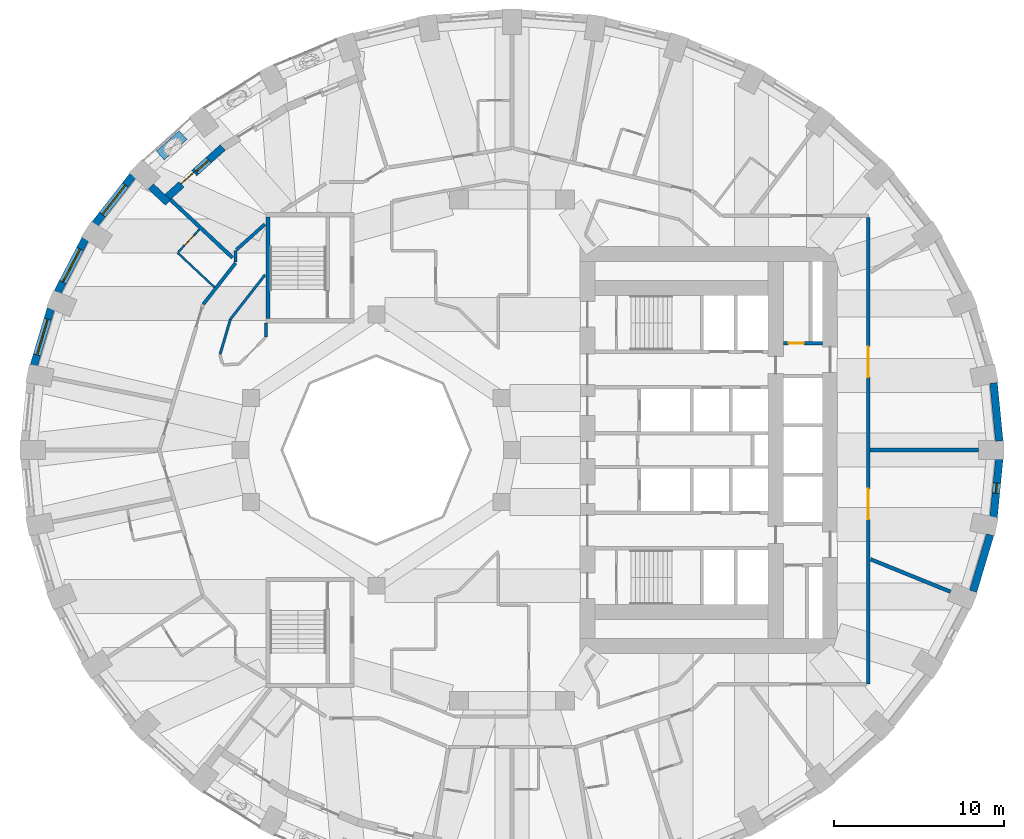
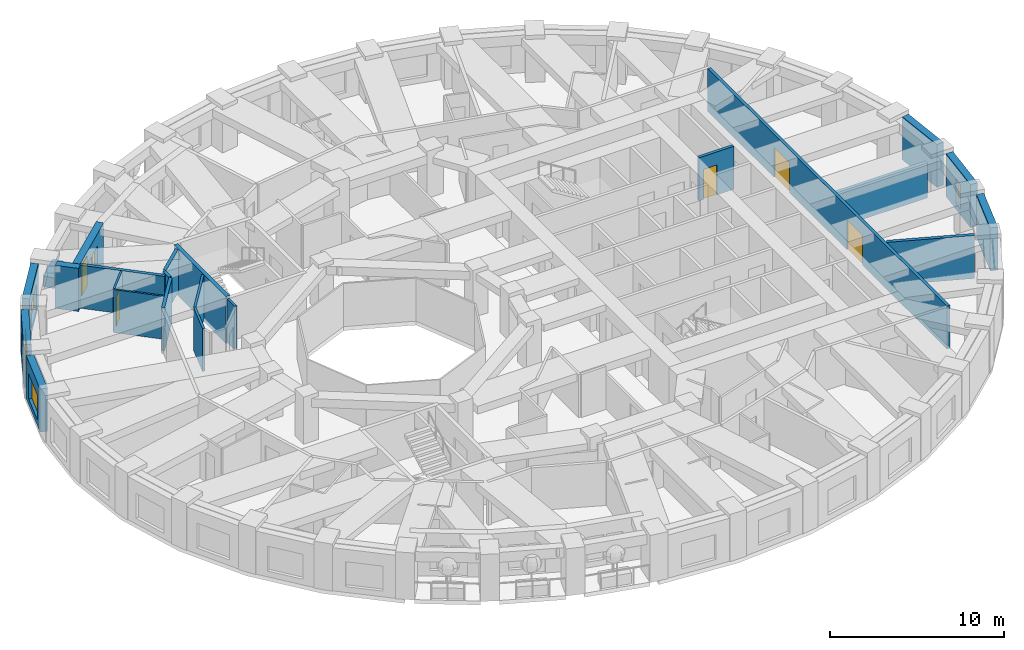
# One storey, part 7 of 13: 23 walls, 5 doors, 5 windows, 10 openings.
"""IFC4 building model written with IfcOpenShell, lengths in metres."""

from ifc_helpers import new_model, si_unit, direction, frame, frame_2d, origin, place, context, subcontext, project, spatial, rectangle, extrude, material, layer, layer_set, constituent, constituent_set, type_object, element, fill, save


model = new_model("IFC4")

# Units and contexts
model_context = context("Model", 3, precision=1e-05, world=origin(), true_north=direction((0.0, 1.0)))
body_context = subcontext(model_context, "Body", "Model", "MODEL_VIEW")
ifc_project = project(units=[si_unit("LENGTHUNIT", "METRE"), si_unit("AREAUNIT", "SQUARE_METRE"), si_unit("VOLUMEUNIT", "CUBIC_METRE"), si_unit("PLANEANGLEUNIT", "RADIAN"), si_unit("MASSUNIT", "GRAM", prefix="KILO")], contexts=[model_context])

# Site, building, storey
site_placement = place(None, origin())
site = spatial("IfcSite", under=ifc_project, at=site_placement, CompositionType="ELEMENT")
building_placement = place(site_placement, origin())
building = spatial("IfcBuilding", under=site, at=building_placement, Name="Taillehof Tower", CompositionType="ELEMENT")
storey_placement = place(building_placement, frame((0.0, 0.0, 44.800048828125)))
storey = spatial("IfcBuildingStorey", under=building, at=storey_placement, Name="L11", CompositionType="ELEMENT", Elevation=44.800048828125)

# Wall
ifc_material_1 = material(Name="Brick masonry", Category="masonry")
ifc_layer_1 = layer(ifc_material_1, 0.449951171875)
ifc_layer_set_1 = layer_set([ifc_layer_1], Name="Brick infill wall 450")
wall_type_1 = type_object("IfcWallType", Name="Brick infill wall 450", PredefinedType="SOLIDWALL", material=ifc_layer_set_1)
wall_1_placement = place(storey_placement, frame((28.721923828125, 0.530029296875, 0.0), z_axis=(0.0, 0.0, 1.0), x_axis=(-0.097389581596, 0.995246336038, 0.0)))
element("IfcWall", 1, at=wall_1_placement, inside=storey, type_object=wall_type_1, Name="Brick wall L11 bay 1", PredefinedType="SOLIDWALL", context=body_context, shape_type="SweptSolid", body=[
    extrude(rectangle(XDim=3.44189453125, YDim=0.449951171875, at=frame_2d((1.720947265625, 0.0))), origin(), (0.0, 0.0, 1.0), 3.02001953125),
])

# Wall, opening, window
wall_2_placement = place(storey_placement, frame((-22.3515625, 16.169677734375, 0.0), z_axis=(0.0, 0.0, 1.0), x_axis=(-0.616661975264, -0.787228053529, 0.0)))
wall_2 = element("IfcWall", 2, at=wall_2_placement, inside=storey, type_object=wall_type_1, Name="Brick wall L11 bay 15", PredefinedType="SOLIDWALL", context=body_context, shape_type="SweptSolid", body=[
    extrude(rectangle(XDim=3.60986328125, YDim=0.449951171875, at=frame_2d((1.804931640625, 0.0))), origin(), (0.0, 0.0, 1.0), 3.02001953125),
])
opening_1_placement = place(wall_2_placement, frame((0.704833984375, 0.0, 0.39990234375)))
opening_1 = element("IfcOpeningElement", 3, at=opening_1_placement, cuts=wall_2, Name="Opening W1", PredefinedType="OPENING", context=body_context, shape_type="SweptSolid", body=[
    extrude(rectangle(XDim=2.199951171875, YDim=1.75, at=frame_2d((1.10009765625, 0.875))), frame((0.0, 0.23486328125, 0.0), z_axis=(0.0, -1.0, 0.0), x_axis=(1.0, 0.0, 0.0)), (0.0, 0.0, 1.0), 0.469970703125),
])
ifc_material_2 = material(Name="Aluminium window frame with clear double glazing", Category="aluminium")
window_type_1 = type_object("IfcWindowType", Name="Deep-set window 2200x1750", PartitioningType="SINGLE_PANEL", PredefinedType="WINDOW", material=ifc_material_2)
window_1_placement = place(opening_1_placement, origin())
window_1 = element("IfcWindow", 4, at=window_1_placement, inside=storey, type_object=window_type_1, Name="W1", OverallHeight=1.75, OverallWidth=2.199951171875, PartitioningType="SINGLE_PANEL", PredefinedType="WINDOW", context=body_context, shape_type="SweptSolid", body=[
    extrude(rectangle(XDim=2.199951171875, YDim=1.75, at=frame_2d((1.10009765625, 0.875))), frame((0.0, 0.034912109375, 0.0), z_axis=(0.0, -1.0, 0.0), x_axis=(1.0, 0.0, 0.0)), (0.0, 0.0, 1.0), 0.06005859375),
])
fill(opening_1, window_1)

wall_3_placement = place(storey_placement, frame((-25.152099609375, 12.436767578125, 0.0), z_axis=(0.0, 0.0, 1.0), x_axis=(-0.462492775226, -0.886623050041, 0.0)))
wall_3 = element("IfcWall", 5, at=wall_3_placement, inside=storey, type_object=wall_type_1, Name="Brick wall L11 bay 16", PredefinedType="SOLIDWALL", context=body_context, shape_type="SweptSolid", body=[
    extrude(rectangle(XDim=3.531982421875, YDim=0.449951171875, at=frame_2d((1.76611328125, 0.0))), origin(), (0.0, 0.0, 1.0), 3.02001953125),
])
opening_2_placement = place(wall_3_placement, frame((0.666015625, 0.0, 0.39990234375)))
opening_2 = element("IfcOpeningElement", 6, at=opening_2_placement, cuts=wall_3, Name="Opening W1", PredefinedType="OPENING", context=body_context, shape_type="SweptSolid", body=[
    extrude(rectangle(XDim=2.199951171875, YDim=1.75, at=frame_2d((1.10009765625, 0.875))), frame((0.0, 0.23486328125, 0.0), z_axis=(0.0, -1.0, 0.0), x_axis=(1.0, 0.0, 0.0)), (0.0, 0.0, 1.0), 0.469970703125),
])
window_2_placement = place(opening_2_placement, origin())
window_2 = element("IfcWindow", 7, at=window_2_placement, inside=storey, type_object=window_type_1, Name="W1", OverallHeight=1.75, OverallWidth=2.199951171875, PartitioningType="SINGLE_PANEL", PredefinedType="WINDOW", context=body_context, shape_type="SweptSolid", body=[
    extrude(rectangle(XDim=2.199951171875, YDim=1.75, at=frame_2d((1.10009765625, 0.875))), frame((0.0, 0.034912109375, 0.0), z_axis=(0.0, -1.0, 0.0), x_axis=(1.0, 0.0, 0.0)), (0.0, 0.0, 1.0), 0.06005859375),
])
fill(opening_2, window_2)

wall_4_placement = place(storey_placement, frame((-27.184814453125, 8.322998046875, 0.0), z_axis=(0.0, 0.0, 1.0), x_axis=(-0.287064133733, -0.957911364963, 0.0)))
wall_4 = element("IfcWall", 8, at=wall_4_placement, inside=storey, type_object=wall_type_1, Name="Brick wall L11 bay 17", PredefinedType="SOLIDWALL", context=body_context, shape_type="SweptSolid", body=[
    extrude(rectangle(XDim=3.473388671875, YDim=0.449951171875, at=frame_2d((1.73681640625, 0.0))), origin(), (0.0, 0.0, 1.0), 3.02001953125),
])
opening_3_placement = place(wall_4_placement, frame((0.63671875, 0.0, 0.39990234375)))
opening_3 = element("IfcOpeningElement", 9, at=opening_3_placement, cuts=wall_4, Name="Opening W1", PredefinedType="OPENING", context=body_context, shape_type="SweptSolid", body=[
    extrude(rectangle(XDim=2.199951171875, YDim=1.75, at=frame_2d((1.10009765625, 0.875))), frame((0.0, 0.23486328125, 0.0), z_axis=(0.0, -1.0, 0.0), x_axis=(1.0, 0.0, 0.0)), (0.0, 0.0, 1.0), 0.469970703125),
])
window_3_placement = place(opening_3_placement, origin())
window_3 = element("IfcWindow", 10, at=window_3_placement, inside=storey, type_object=window_type_1, Name="W1", OverallHeight=1.75, OverallWidth=2.199951171875, PartitioningType="SINGLE_PANEL", PredefinedType="WINDOW", context=body_context, shape_type="SweptSolid", body=[
    extrude(rectangle(XDim=2.199951171875, YDim=1.75, at=frame_2d((1.10009765625, 0.875))), frame((0.0, 0.034912109375, 0.0), z_axis=(0.0, -1.0, 0.0), x_axis=(1.0, 0.0, 0.0)), (0.0, 0.0, 1.0), 0.06005859375),
])
fill(opening_3, window_3)

# Wall
wall_5_placement = place(storey_placement, frame((27.184814453125, -8.322998046875, 0.0), z_axis=(0.0, 0.0, 1.0), x_axis=(0.287064133733, 0.957911364963, 0.0)))
element("IfcWall", 11, at=wall_5_placement, inside=storey, type_object=wall_type_1, Name="Brick wall L11 bay 35", PredefinedType="SOLIDWALL", context=body_context, shape_type="SweptSolid", body=[
    extrude(rectangle(XDim=3.473388671875, YDim=0.449951171875, at=frame_2d((1.73681640625, 0.0))), origin(), (0.0, 0.0, 1.0), 3.02001953125),
])

# Wall, opening, window
wall_6_placement = place(storey_placement, frame((28.38671875, -3.95556640625, 0.0), z_axis=(0.0, 0.0, 1.0), x_axis=(0.097389581596, 0.995246336038, 0.0)))
wall_6 = element("IfcWall", 12, at=wall_6_placement, inside=storey, type_object=wall_type_1, Name="Brick wall L11 bay 36", PredefinedType="SOLIDWALL", context=body_context, shape_type="SweptSolid", body=[
    extrude(rectangle(XDim=3.44189453125, YDim=0.449951171875, at=frame_2d((1.720947265625, 0.0))), origin(), (0.0, 0.0, 1.0), 3.02001953125),
])
opening_4_placement = place(wall_6_placement, frame((1.4208984375, 0.0, 0.39990234375)))
opening_4 = element("IfcOpeningElement", 13, at=opening_4_placement, cuts=wall_6, Name="Opening W6", PredefinedType="OPENING", context=body_context, shape_type="SweptSolid", body=[
    extrude(rectangle(XDim=0.60009765625, YDim=1.75, at=frame_2d((0.300048828125, 0.875))), frame((0.0, 0.23486328125, 0.0), z_axis=(0.0, -1.0, 0.0), x_axis=(1.0, 0.0, 0.0)), (0.0, 0.0, 1.0), 0.469970703125),
])
ifc_material_3 = material(Name="Aluminium window frame with clear double glazing", Category="aluminium")
window_type_2 = type_object("IfcWindowType", Name="Slot window 600x1750", PartitioningType="SINGLE_PANEL", PredefinedType="WINDOW", material=ifc_material_3)
window_4_placement = place(opening_4_placement, origin())
window_4 = element("IfcWindow", 14, at=window_4_placement, inside=storey, type_object=window_type_2, Name="W6", OverallHeight=1.75, OverallWidth=0.60009765625, PartitioningType="SINGLE_PANEL", PredefinedType="WINDOW", context=body_context, shape_type="SweptSolid", body=[
    extrude(rectangle(XDim=0.60009765625, YDim=1.75, at=frame_2d((0.300048828125, 0.875))), frame((0.0, 0.034912109375, 0.0), z_axis=(0.0, -1.0, 0.0), x_axis=(1.0, 0.0, 0.0)), (0.0, 0.0, 1.0), 0.06005859375),
])
fill(opening_4, window_4)

# Wall
wall_7_placement = place(storey_placement, frame((-21.289306640625, 15.53759765625, 0.0), z_axis=(0.0, 0.0, 1.0), x_axis=(0.730149942784, -0.683286953668, 0.0)))
element("IfcWall", 15, at=wall_7_placement, inside=storey, type_object=wall_type_1, Name="Brick reveal L11 pocket 3", PredefinedType="SOLIDWALL", context=body_context, shape_type="SweptSolid", body=[
    extrude(rectangle(XDim=1.390869140625, YDim=0.449951171875, at=frame_2d((0.6953125, 0.0))), origin(), (0.0, 0.0, 1.0), 3.02001953125),
])

# Wall, openings, door, window
wall_8_placement = place(storey_placement, frame((-17.0478515625, 17.831787109375, 0.0), z_axis=(0.0, 0.0, 1.0), x_axis=(-0.744619286768, -0.667489413978, 0.0)))
wall_8 = element("IfcWall", 16, at=wall_8_placement, inside=storey, type_object=wall_type_1, Name="Brick wall L11 pocket bay 14", PredefinedType="SOLIDWALL", context=body_context, shape_type="SweptSolid", body=[
    extrude(rectangle(XDim=4.364990234375, YDim=0.449951171875, at=frame_2d((2.1826171875, 0.0))), origin(), (0.0, 0.0, 1.0), 3.02001953125),
])
opening_5_placement = place(wall_8_placement, frame((1.107421875, 0.0, 0.39990234375)))
opening_5 = element("IfcOpeningElement", 17, at=opening_5_placement, cuts=wall_8, Name="Opening W5", PredefinedType="OPENING", context=body_context, shape_type="SweptSolid", body=[
    extrude(rectangle(XDim=1.0, YDim=1.75, at=frame_2d((0.5, 0.875))), frame((0.0, 0.23486328125, 0.0), z_axis=(0.0, -1.0, 0.0), x_axis=(1.0, 0.0, 0.0)), (0.0, 0.0, 1.0), 0.469970703125),
])
opening_6_placement = place(wall_8_placement, frame((2.257568359375, 0.0, 0.0)))
opening_6 = element("IfcOpeningElement", 18, at=opening_6_placement, cuts=wall_8, Name="Opening D1196", PredefinedType="OPENING", context=body_context, shape_type="SweptSolid", body=[
    extrude(rectangle(XDim=1.0, YDim=2.14990234375, at=frame_2d((0.5, 1.074951171875))), frame((0.0, 0.23486328125, 0.0), z_axis=(0.0, -1.0, 0.0), x_axis=(1.0, 0.0, 0.0)), (0.0, 0.0, 1.0), 0.469970703125),
])
ifc_material_4 = material(Name="Aluminium door frame with clear double glazing", Category="aluminium")
door_type_1 = type_object("IfcDoorType", Name="Balcony door 1000x2150", OperationType="SINGLE_SWING_RIGHT", PredefinedType="DOOR", material=ifc_material_4)
door_1_placement = place(opening_6_placement, frame((1.0, 0.0, 0.0), z_axis=(0.0, 0.0, 1.0), x_axis=(-1.0, 0.0, 0.0)))
door_1 = element("IfcDoor", 19, at=door_1_placement, inside=storey, type_object=door_type_1, Name="Balcony door L11 bay 14", OperationType="SINGLE_SWING_LEFT", OverallHeight=2.14990234375, OverallWidth=1.0, PredefinedType="DOOR", context=body_context, shape_type="SweptSolid", body=[
    extrude(rectangle(XDim=1.0, YDim=2.14990234375, at=frame_2d((0.5, 1.074951171875))), frame((0.0, 0.0751953125, 0.0), z_axis=(0.0, -1.0, 0.0), x_axis=(1.0, 0.0, 0.0)), (0.0, 0.0, 1.0), 0.050048828125),
])
fill(opening_6, door_1)
ifc_material_5 = material(Name="Aluminium window frame with clear double glazing", Category="aluminium")
window_type_3 = type_object("IfcWindowType", Name="Fixed window 1000x1750", PartitioningType="SINGLE_PANEL", PredefinedType="WINDOW", material=ifc_material_5)
window_5_placement = place(opening_5_placement, origin())
window_5 = element("IfcWindow", 20, at=window_5_placement, inside=storey, type_object=window_type_3, Name="W5", OverallHeight=1.75, OverallWidth=1.0, PartitioningType="SINGLE_PANEL", PredefinedType="WINDOW", context=body_context, shape_type="SweptSolid", body=[
    extrude(rectangle(XDim=1.0, YDim=1.75, at=frame_2d((0.5, 0.875))), frame((0.0, 0.034912109375, 0.0), z_axis=(0.0, -1.0, 0.0), x_axis=(1.0, 0.0, 0.0)), (0.0, 0.0, 1.0), 0.06005859375),
])
fill(opening_5, window_5)

# Wall, opening, door
ifc_material_6 = material(Name="Calcium silicate masonry", Category="masonry")
ifc_layer_2 = layer(ifc_material_6, 0.199951171875)
ifc_layer_set_2 = layer_set([ifc_layer_2], Name="Compartment wall calcium silicate 200")
wall_type_2 = type_object("IfcWallType", Name="Compartment wall calcium silicate 200", PredefinedType="PARTITIONING", material=ifc_layer_set_2)
wall_9_placement = place(storey_placement, frame((16.0, 6.300048828125, 0.0), z_axis=(0.0, 0.0, 1.0), x_axis=(1.0, 0.0, 0.0)))
wall_9 = element("IfcWall", 21, at=wall_9_placement, inside=storey, type_object=wall_type_2, Name="Compartment wall FW", PredefinedType="PARTITIONING", context=body_context, shape_type="SweptSolid", body=[
    extrude(rectangle(XDim=2.300048828125, YDim=0.199951171875, at=frame_2d((1.14990234375, 0.0))), origin(), (0.0, 0.0, 1.0), 3.02001953125),
])
opening_7_placement = place(wall_9_placement, frame((0.300048828125, 0.0, 0.0)))
opening_7 = element("IfcOpeningElement", 22, at=opening_7_placement, cuts=wall_9, Name="Opening D1116", PredefinedType="OPENING", context=body_context, shape_type="SweptSolid", body=[
    extrude(rectangle(XDim=0.89990234375, YDim=2.10009765625, at=frame_2d((0.449951171875, 1.050048828125))), frame((0.0, 0.10986328125, 0.0), z_axis=(0.0, -1.0, 0.0), x_axis=(1.0, 0.0, 0.0)), (0.0, 0.0, 1.0), 0.219970703125),
])
ifc_material_7 = material(Name="Steel-faced fire door", Category="steel")
door_type_2 = type_object("IfcDoorType", Name="Riser and service room door 900x2100", OperationType="SINGLE_SWING_LEFT", PredefinedType="DOOR", material=ifc_material_7)
door_2_placement = place(opening_7_placement, origin())
door_2 = element("IfcDoor", 23, at=door_2_placement, inside=storey, type_object=door_type_2, Name="Door Waste Room", OperationType="SINGLE_SWING_RIGHT", OverallHeight=2.10009765625, OverallWidth=0.89990234375, PredefinedType="DOOR", context=body_context, shape_type="SweptSolid", body=[
    extrude(rectangle(XDim=0.89990234375, YDim=2.10009765625, at=frame_2d((0.449951171875, 1.050048828125))), frame((0.0, 0.02490234375, 0.0), z_axis=(0.0, -1.0, 0.0), x_axis=(1.0, 0.0, 0.0)), (0.0, 0.0, 1.0), 0.050048828125),
])
fill(opening_7, door_2)

# Walls
ifc_material_8 = material(Name="Gypsum board on steel studs, two layers each side", Category="steel")
ifc_layer_3 = layer(ifc_material_8, 0.199951171875)
ifc_layer_set_3 = layer_set([ifc_layer_3], Name="Compartment wall corridor 200")
wall_type_3 = type_object("IfcWallType", Name="Compartment wall corridor 200", PredefinedType="PARTITIONING", material=ifc_layer_set_3)
wall_10_placement = place(storey_placement, frame((-18.196044921875, 8.592041015625, 0.0), z_axis=(0.0, 0.0, 1.0), x_axis=(0.615854849191, 0.787859635168, 0.0)))
element("IfcWall", 24, at=wall_10_placement, inside=storey, type_object=wall_type_3, Name="Compartment wall", PredefinedType="PARTITIONING", context=body_context, shape_type="SweptSolid", body=[
    extrude(rectangle(XDim=3.07861328125, YDim=0.199951171875, at=frame_2d((1.539306640625, 0.0))), origin(), (0.0, 0.0, 1.0), 3.02001953125),
])
wall_11_placement = place(storey_placement, frame((-16.300048828125, 11.07763671875, 0.0), z_axis=(0.0, 0.0, 1.0), x_axis=(0.0, 1.0, 0.0)))
element("IfcWall", 25, at=wall_11_placement, inside=storey, type_object=wall_type_3, Name="Compartment wall", PredefinedType="PARTITIONING", context=body_context, shape_type="SweptSolid", body=[
    extrude(rectangle(XDim=0.676025390625, YDim=0.199951171875, at=frame_2d((0.337890625, 0.0))), origin(), (0.0, 0.0, 1.0), 3.02001953125),
])
wall_12_placement = place(storey_placement, frame((-16.240478515625, 11.807373046875, 0.0), z_axis=(0.0, 0.0, 1.0), x_axis=(0.744658399013, 0.667445779655, 0.0)))
element("IfcWall", 26, at=wall_12_placement, inside=storey, type_object=wall_type_3, Name="Compartment wall", PredefinedType="PARTITIONING", context=body_context, shape_type="SweptSolid", body=[
    extrude(rectangle(XDim=2.257568359375, YDim=0.199951171875, at=frame_2d((1.12890625, 0.0))), origin(), (0.0, 0.0, 1.0), 3.02001953125),
])

# Wall, openings, doors
wall_13_placement = place(storey_placement, frame((21.0, 13.699951171875, 0.0), z_axis=(0.0, 0.0, 1.0), x_axis=(0.0, -1.0, 0.0)))
wall_13 = element("IfcWall", 27, at=wall_13_placement, inside=storey, type_object=wall_type_3, Name="Compartment wall", PredefinedType="PARTITIONING", context=body_context, shape_type="SweptSolid", body=[
    extrude(rectangle(XDim=27.5, YDim=0.199951171875, at=frame_2d((13.75, 0.0))), origin(), (0.0, 0.0, 1.0), 3.02001953125),
])
opening_8_placement = place(wall_13_placement, frame((15.992431640625, 0.0, 0.0)))
opening_8 = element("IfcOpeningElement", 28, at=opening_8_placement, cuts=wall_13, Name="Opening D1167", PredefinedType="OPENING", context=body_context, shape_type="SweptSolid", body=[
    extrude(rectangle(XDim=1.800048828125, YDim=2.10009765625, at=frame_2d((0.89990234375, 1.050048828125))), frame((0.0, 0.10986328125, 0.0), z_axis=(0.0, -1.0, 0.0), x_axis=(1.0, 0.0, 0.0)), (0.0, 0.0, 1.0), 0.219970703125),
])
opening_9_placement = place(wall_13_placement, frame((7.602294921875, 0.0, 0.0)))
opening_9 = element("IfcOpeningElement", 29, at=opening_9_placement, cuts=wall_13, Name="Opening D1168", PredefinedType="OPENING", context=body_context, shape_type="SweptSolid", body=[
    extrude(rectangle(XDim=1.800048828125, YDim=2.10009765625, at=frame_2d((0.89990234375, 1.050048828125))), frame((0.0, 0.10986328125, 0.0), z_axis=(0.0, -1.0, 0.0), x_axis=(1.0, 0.0, 0.0)), (0.0, 0.0, 1.0), 0.219970703125),
])
ifc_material_9 = material(Name="Timber door leaf in steel frame", Category="steel")
door_type_3 = type_object("IfcDoorType", Name="Lounge and meeting room double door EI 30 1800 x 2100", OperationType="SINGLE_SWING_LEFT", PredefinedType="DOOR", material=ifc_material_9)
door_3_placement = place(opening_8_placement, origin())
door_3 = element("IfcDoor", 30, at=door_3_placement, inside=storey, type_object=door_type_3, Name="D1167", OperationType="DOUBLE_DOOR_SINGLE_SWING", OverallHeight=2.10009765625, OverallWidth=1.800048828125, PredefinedType="DOOR", context=body_context, shape_type="SweptSolid", body=[
    extrude(rectangle(XDim=1.800048828125, YDim=2.10009765625, at=frame_2d((0.89990234375, 1.050048828125))), frame((0.0, 0.02490234375, 0.0), z_axis=(0.0, -1.0, 0.0), x_axis=(1.0, 0.0, 0.0)), (0.0, 0.0, 1.0), 0.050048828125),
])
fill(opening_8, door_3)
door_4_placement = place(opening_9_placement, origin())
door_4 = element("IfcDoor", 31, at=door_4_placement, inside=storey, type_object=door_type_3, Name="D1168", OperationType="DOUBLE_DOOR_SINGLE_SWING", OverallHeight=2.10009765625, OverallWidth=1.800048828125, PredefinedType="DOOR", context=body_context, shape_type="SweptSolid", body=[
    extrude(rectangle(XDim=1.800048828125, YDim=2.10009765625, at=frame_2d((0.89990234375, 1.050048828125))), frame((0.0, 0.02490234375, 0.0), z_axis=(0.0, -1.0, 0.0), x_axis=(1.0, 0.0, 0.0)), (0.0, 0.0, 1.0), 0.050048828125),
])
fill(opening_9, door_4)

# Walls
ifc_material_10 = material(Name="Gypsum board on double steel studs with mineral wool", Category="steel")
ifc_layer_4 = layer(ifc_material_10, 0.219970703125)
ifc_layer_set_4 = layer_set([ifc_layer_4], Name="Compartment wall guest room 220")
wall_type_4 = type_object("IfcWallType", Name="Compartment wall guest room 220", PredefinedType="PARTITIONING", material=ifc_layer_set_4)
wall_14_placement = place(storey_placement, frame((27.5, 0.0, 0.0), z_axis=(0.0, 0.0, 1.0), x_axis=(-1.0, 0.0, 0.0)))
element("IfcWall", 32, at=wall_14_placement, inside=storey, type_object=wall_type_4, Name="Compartment wall", PredefinedType="PARTITIONING", context=body_context, shape_type="SweptSolid", body=[
    extrude(rectangle(XDim=6.39990234375, YDim=0.219970703125, at=frame_2d((3.199951171875, 0.0))), origin(), (0.0, 0.0, 1.0), 2.469970703125),
])
wall_15_placement = place(storey_placement, frame((-20.13330078125, 14.763916015625, 0.0), z_axis=(0.0, 0.0, 1.0), x_axis=(0.73007309337, -0.683369064516, 0.0)))
element("IfcWall", 33, at=wall_15_placement, inside=storey, type_object=wall_type_4, Name="Compartment wall", PredefinedType="PARTITIONING", context=body_context, shape_type="SweptSolid", body=[
    extrude(rectangle(XDim=5.01318359375, YDim=0.219970703125, at=frame_2d((2.506591796875, 0.0))), origin(), (0.0, 0.0, 1.0), 3.02001953125),
])
wall_16_placement = place(storey_placement, frame((25.851318359375, -8.35400390625, 0.0), z_axis=(0.0, 0.0, 1.0), x_axis=(-0.926538195631, 0.376200707118, 0.0)))
element("IfcWall", 34, at=wall_16_placement, inside=storey, type_object=wall_type_4, Name="Compartment wall", PredefinedType="PARTITIONING", context=body_context, shape_type="SweptSolid", body=[
    extrude(rectangle(XDim=5.087890625, YDim=0.219970703125, at=frame_2d((2.5439453125, 0.0))), origin(), (0.0, 0.0, 1.0), 3.02001953125),
])
ifc_material_11 = material(Name="Gypsum board on steel studs, two layers each side", Category="steel")
ifc_layer_5 = layer(ifc_material_11, 0.14990234375)
ifc_layer_set_5 = layer_set([ifc_layer_5], Name="Compartment wall service room 150")
wall_type_5 = type_object("IfcWallType", Name="Compartment wall service room 150", PredefinedType="PARTITIONING", material=ifc_layer_set_5)
wall_17_placement = place(storey_placement, frame((-14.5, 7.5009765625, 0.0), z_axis=(0.0, 0.0, 1.0), x_axis=(0.0, -1.0, 0.0)))
element("IfcWall", 35, at=wall_17_placement, inside=storey, type_object=wall_type_5, Name="Compartment wall", PredefinedType="PARTITIONING", context=body_context, shape_type="SweptSolid", body=[
    extrude(rectangle(XDim=0.848876953125, YDim=0.14990234375, at=frame_2d((0.42431640625, 0.0))), origin(), (0.0, 0.0, 1.0), 3.02001953125),
])
wall_18_placement = place(storey_placement, frame((-17.2060546875, 5.64453125, 0.0), z_axis=(0.0, 0.0, 1.0), x_axis=(0.282930600638, 0.95914038348, 0.0)))
element("IfcWall", 36, at=wall_18_placement, inside=storey, type_object=wall_type_5, Name="Compartment wall", PredefinedType="PARTITIONING", context=body_context, shape_type="SweptSolid", body=[
    extrude(rectangle(XDim=2.16162109375, YDim=0.14990234375, at=frame_2d((1.080810546875, 0.0))), origin(), (0.0, 0.0, 1.0), 3.02001953125),
])
wall_19_placement = place(storey_placement, frame((-16.582275390625, 7.733642578125, 0.0), z_axis=(0.0, 0.0, 1.0), x_axis=(0.615848335932, 0.787864726416, 0.0)))
element("IfcWall", 37, at=wall_19_placement, inside=storey, type_object=wall_type_5, Name="Compartment wall", PredefinedType="PARTITIONING", context=body_context, shape_type="SweptSolid", body=[
    extrude(rectangle(XDim=3.292724609375, YDim=0.14990234375, at=frame_2d((1.646484375, 0.0))), origin(), (0.0, 0.0, 1.0), 3.02001953125),
])
ifc_material_12 = material(Name="Gypsum board on steel studs, moisture resistant", Category="steel")
ifc_layer_6 = layer(ifc_material_12, 0.1201171875)
ifc_layer_set_6 = layer_set([ifc_layer_6], Name="En-suite wall 120")
wall_type_6 = type_object("IfcWallType", Name="En-suite wall 120", PredefinedType="PARTITIONING", material=ifc_layer_set_6)
wall_20_placement = place(storey_placement, frame((-17.5380859375, 9.595703125, 0.0), z_axis=(0.0, 0.0, 1.0), x_axis=(-0.730099766179, 0.683340567671, 0.0)))
element("IfcWall", 38, at=wall_20_placement, inside=storey, type_object=wall_type_6, Name="En-suite wall", PredefinedType="PARTITIONING", context=body_context, shape_type="SweptSolid", body=[
    extrude(rectangle(XDim=2.97607421875, YDim=0.1201171875, at=frame_2d((1.488037109375, 0.0))), origin(), (0.0, 0.0, 1.0), 3.02001953125),
])

# Wall, opening, door
wall_21_placement = place(storey_placement, frame((-19.669921875, 11.67333984375, 0.0), z_axis=(0.0, 0.0, 1.0), x_axis=(0.683372850006, 0.730069550026, 0.0)))
wall_21 = element("IfcWall", 39, at=wall_21_placement, inside=storey, type_object=wall_type_6, Name="En-suite wall", PredefinedType="PARTITIONING", context=body_context, shape_type="SweptSolid", body=[
    extrude(rectangle(XDim=1.829833984375, YDim=0.1201171875, at=frame_2d((0.9150390625, 0.0))), origin(), (0.0, 0.0, 1.0), 3.02001953125),
])
opening_10_placement = place(wall_21_placement, frame((0.539794921875, 0.0, 0.0)))
opening_10 = element("IfcOpeningElement", 40, at=opening_10_placement, cuts=wall_21, Name="Opening D1149", PredefinedType="OPENING", context=body_context, shape_type="SweptSolid", body=[
    extrude(rectangle(XDim=0.800048828125, YDim=2.10009765625, at=frame_2d((0.39990234375, 1.050048828125))), frame((0.0, 0.070068359375, 0.0), z_axis=(0.0, -1.0, 0.0), x_axis=(1.0, 0.0, 0.0)), (0.0, 0.0, 1.0), 0.14013671875),
])
ifc_material_13 = material(Name="Timber door leaf in steel frame", Category="steel")
door_type_4 = type_object("IfcDoorType", Name="En-suite door 800 x 2100", OperationType="SINGLE_SWING_LEFT", PredefinedType="DOOR", material=ifc_material_13)
door_5_placement = place(opening_10_placement, origin())
door_5 = element("IfcDoor", 41, at=door_5_placement, inside=storey, type_object=door_type_4, Name="D1149", OperationType="SINGLE_SWING_RIGHT", OverallHeight=2.10009765625, OverallWidth=0.800048828125, PredefinedType="DOOR", context=body_context, shape_type="SweptSolid", body=[
    extrude(rectangle(XDim=0.800048828125, YDim=2.10009765625, at=frame_2d((0.39990234375, 1.050048828125))), frame((0.0, 0.02490234375, 0.0), z_axis=(0.0, -1.0, 0.0), x_axis=(1.0, 0.0, 0.0)), (0.0, 0.0, 1.0), 0.050048828125),
])
fill(opening_10, door_5)

# Walls
ifc_material_14 = material(Name="Concrete C30/37 precast", Category="concrete")
ifc_constituent_1 = constituent(ifc_material_14, Name="Structure", Category="concrete")
ifc_material_15 = material(Name="Insulated lining")
ifc_constituent_2 = constituent(ifc_material_15, Name="Lining")
ifc_constituent_set = constituent_set(constituents=[ifc_constituent_1, ifc_constituent_2], Name="Planter trough 700x750")
wall_type_7 = type_object("IfcWallType", Name="Planter trough 700x750", PredefinedType="USERDEFINED", material=ifc_constituent_set)
wall_22_placement = place(storey_placement, frame((-19.387939453125, 18.562255859375, 0.0), z_axis=(0.0, 0.0, 1.0), x_axis=(-0.745535653445, -0.666465745139, 0.0)))
element("IfcWall", 42, at=wall_22_placement, inside=storey, type_object=wall_type_7, Name="Planter L11 bay 14", ObjectType="PLANTER", PredefinedType="USERDEFINED", context=body_context, shape_type="SweptSolid", body=[
    extrude(rectangle(XDim=1.800048828125, YDim=0.699951171875, at=frame_2d((0.89990234375, 0.0))), origin(), (0.0, 0.0, 1.0), 0.75),
])
ifc_material_16 = material(Name="Concrete C50/60", Category="concrete")
ifc_layer_7 = layer(ifc_material_16, 0.25)
ifc_layer_set_7 = layer_set([ifc_layer_7], Name="Stair wall C50/60 250")
wall_type_8 = type_object("IfcWallType", Name="Stair wall C50/60 250", PredefinedType="SHEAR", material=ifc_layer_set_7)
wall_23_placement = place(storey_placement, frame((-14.375, 7.75, -0.280029296875), z_axis=(0.0, 0.0, 1.0), x_axis=(0.0, 1.0, 0.0)))
element("IfcWall", 43, at=wall_23_placement, inside=storey, type_object=wall_type_8, Name="Stair wall SC", PredefinedType="SHEAR", context=body_context, shape_type="SweptSolid", body=[
    extrude(rectangle(XDim=6.0, YDim=0.25, at=frame_2d((3.0, 0.0))), origin(), (0.0, 0.0, 1.0), 3.300048828125),
])

save(model, "model.ifc")
